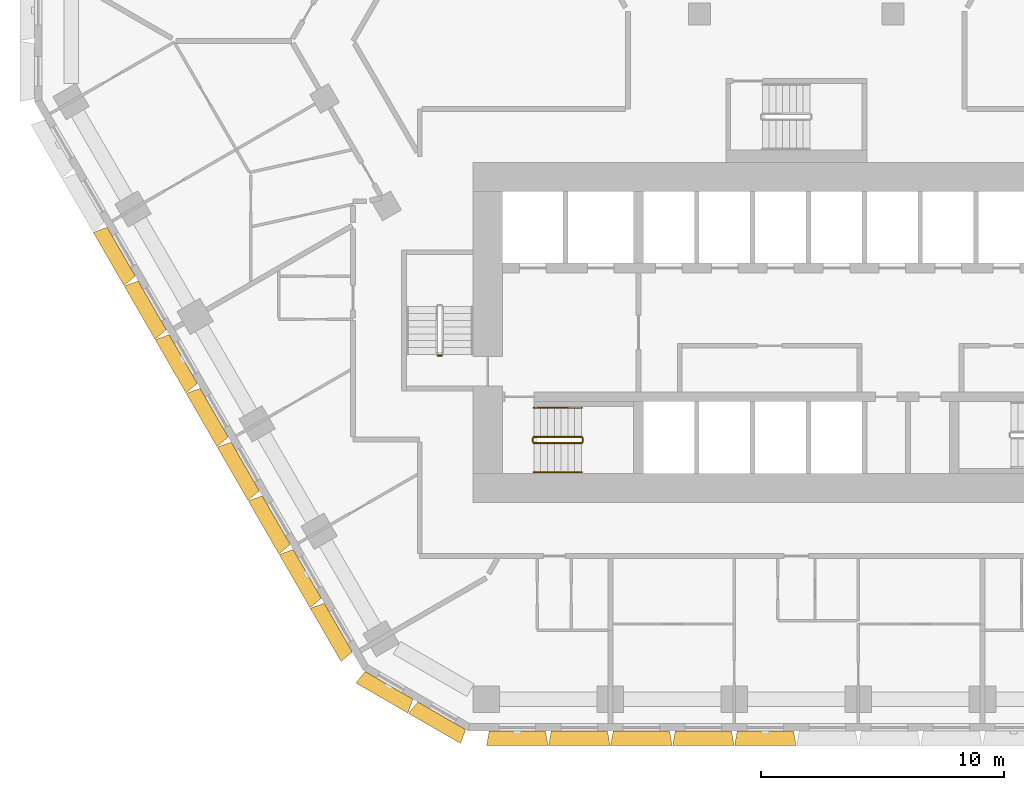
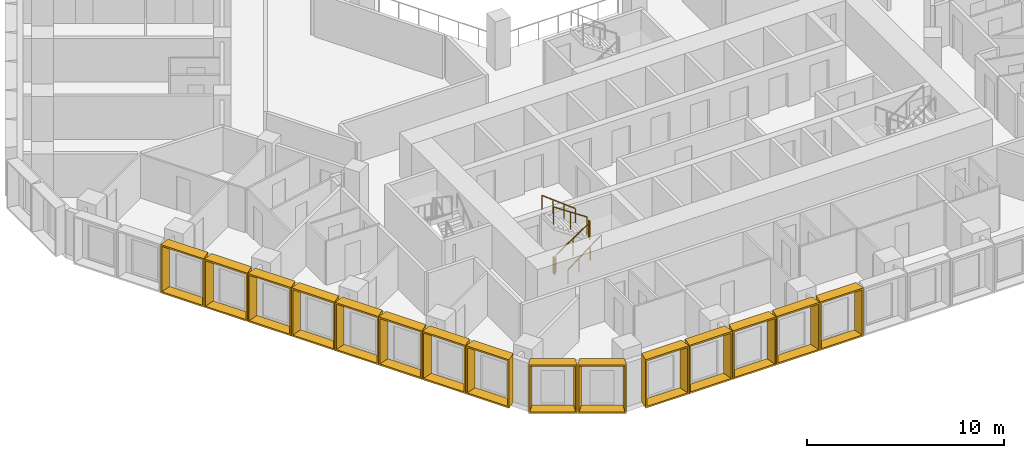
# One storey, part 18 of 21: 15 shading devices, 7 railings.
"""IFC4 building model written with IfcOpenShell, lengths in metres."""

from ifc_helpers import new_model, entity, si_unit, direction, frame, origin, origin_2d, place, context, subcontext, project, spatial, rectangle, extrude, source, transform, mapped, material, type_object, type_shapes, element, save


model = new_model("IFC4")

# Units and contexts
model_context = context("Model", 3, precision=1e-05, world=origin(), true_north=direction((0.0, 1.0)))
body_context = subcontext(model_context, "Body", "Model", "MODEL_VIEW")
ifc_project = project(units=[si_unit("LENGTHUNIT", "METRE"), si_unit("AREAUNIT", "SQUARE_METRE"), si_unit("VOLUMEUNIT", "CUBIC_METRE"), si_unit("PLANEANGLEUNIT", "RADIAN"), si_unit("MASSUNIT", "GRAM", prefix="KILO")], contexts=[model_context])

# Site, building, storey
site_placement = place(None, origin())
site = spatial("IfcSite", under=ifc_project, at=site_placement, CompositionType="ELEMENT")
building_placement = place(site_placement, origin())
building = spatial("IfcBuilding", under=site, at=building_placement, Name="Beryl Residences", CompositionType="ELEMENT")
storey_placement = place(building_placement, frame((0.0, 0.0, 53.39990234375)))
storey = spatial("IfcBuildingStorey", under=building, at=storey_placement, Name="L16", CompositionType="ELEMENT", Elevation=53.39990234375)

# Shading devices
ifc_material_1 = material(Name="Aluminium pale anodised", Category="aluminium")
shading_device_type_1 = type_object("IfcShadingDeviceType", Name="FR250-60A OUTER SKIN frame 600 mm deep, splay 10/10 deg, 2500 x 3000 mm cell", PredefinedType="USERDEFINED", material=ifc_material_1)
cartesian_point_1 = entity("IfcCartesianPoint", [-1.134033203125, 0.0])
cartesian_point_2 = entity("IfcCartesianPoint", [-1.052734375, 0.10009765625])
cartesian_point_3 = entity("IfcCartesianPoint", [-1.23974609375, 0.0])
cartesian_point_4 = entity("IfcCartesianPoint", [-1.158447265625, 0.10009765625])
shared_shape_1 = source(origin(), body_context, "Body", "SweptSolid", [
    entity("IfcExtrudedAreaSolidTapered", entity("IfcArbitraryProfileDefWithVoids", "AREA", None, entity("IfcPolyline", [cartesian_point_1, entity("IfcCartesianPoint", [1.134033203125, 0.0]), entity("IfcCartesianPoint", [1.134033203125, 3.0]), entity("IfcCartesianPoint", [-1.134033203125, 3.0]), cartesian_point_1]), [entity("IfcPolyline", [cartesian_point_2, entity("IfcCartesianPoint", [1.052734375, 0.10009765625]), entity("IfcCartesianPoint", [1.052734375, 2.89990234375]), entity("IfcCartesianPoint", [-1.052734375, 2.89990234375]), cartesian_point_2])]), entity("IfcAxis2Placement3D", entity("IfcCartesianPoint", [0.0, 0.0, 0.0]), entity("IfcDirection", [0.0, 1.0, 0.0]), entity("IfcDirection", [-1.0, 0.0, 0.0])), entity("IfcDirection", [0.0, 0.0, 1.0]), 0.60009765625, entity("IfcArbitraryProfileDefWithVoids", "AREA", None, entity("IfcPolyline", [cartesian_point_3, entity("IfcCartesianPoint", [1.23974609375, 0.0]), entity("IfcCartesianPoint", [1.23974609375, 3.0]), entity("IfcCartesianPoint", [-1.23974609375, 3.0]), cartesian_point_3]), [entity("IfcPolyline", [cartesian_point_4, entity("IfcCartesianPoint", [1.158447265625, 0.10009765625]), entity("IfcCartesianPoint", [1.158447265625, 2.89990234375]), entity("IfcCartesianPoint", [-1.158447265625, 2.89990234375]), cartesian_point_4])])),
])
type_shapes(shading_device_type_1, [shared_shape_1])
for number, where, z_axis, x_axis, name in (
    (1, (-16.758056640625, -26.52490234375, 0.0), (0.0, 0.0, 1.0), (-0.866025403784, 0.5, 0.0), "FR250-60A frame L16 SW-S 1"),
    (2, (-14.593017578125, -27.77490234375, 0.0), (0.0, 0.0, 1.0), (-0.866025403784, 0.5, 0.0), "FR250-60A frame L16 SW-S 2"),
):
    element("IfcShadingDevice", number, at=place(storey_placement, frame(where, z_axis=z_axis, x_axis=x_axis)), inside=storey, type_object=shading_device_type_1, Name=name, ObjectType="OUTER SKIN", PredefinedType="USERDEFINED", context=body_context, shape_type="MappedRepresentation", body=[
        mapped(shared_shape_1, transform((0.0, 0.0, 0.0))),
    ])
ifc_material_2 = material(Name="Aluminium pale anodised", Category="aluminium")
shading_device_type_2 = type_object("IfcShadingDeviceType", Name="FR255-60A OUTER SKIN frame 600 mm deep, splay 10/10 deg, 2550 x 3000 mm cell", PredefinedType="USERDEFINED", material=ifc_material_2)
cartesian_point_5 = entity("IfcCartesianPoint", [-1.158935546875, 0.0])
cartesian_point_6 = entity("IfcCartesianPoint", [-1.077880859375, 0.10009765625])
cartesian_point_7 = entity("IfcCartesianPoint", [-1.264892578125, 0.0])
cartesian_point_8 = entity("IfcCartesianPoint", [-1.18359375, 0.10009765625])
shared_shape_2 = source(origin(), body_context, "Body", "SweptSolid", [
    entity("IfcExtrudedAreaSolidTapered", entity("IfcArbitraryProfileDefWithVoids", "AREA", None, entity("IfcPolyline", [cartesian_point_5, entity("IfcCartesianPoint", [1.158935546875, 0.0]), entity("IfcCartesianPoint", [1.158935546875, 3.0]), entity("IfcCartesianPoint", [-1.158935546875, 3.0]), cartesian_point_5]), [entity("IfcPolyline", [cartesian_point_6, entity("IfcCartesianPoint", [1.077880859375, 0.10009765625]), entity("IfcCartesianPoint", [1.077880859375, 2.89990234375]), entity("IfcCartesianPoint", [-1.077880859375, 2.89990234375]), cartesian_point_6])]), entity("IfcAxis2Placement3D", entity("IfcCartesianPoint", [0.0, 0.0, 0.0]), entity("IfcDirection", [0.0, 1.0, 0.0]), entity("IfcDirection", [-1.0, 0.0, 0.0])), entity("IfcDirection", [0.0, 0.0, 1.0]), 0.60009765625, entity("IfcArbitraryProfileDefWithVoids", "AREA", None, entity("IfcPolyline", [cartesian_point_7, entity("IfcCartesianPoint", [1.264892578125, 0.0]), entity("IfcCartesianPoint", [1.264892578125, 3.0]), entity("IfcCartesianPoint", [-1.264892578125, 3.0]), cartesian_point_7]), [entity("IfcPolyline", [cartesian_point_8, entity("IfcCartesianPoint", [1.18359375, 0.10009765625]), entity("IfcCartesianPoint", [1.18359375, 2.89990234375]), entity("IfcCartesianPoint", [-1.18359375, 2.89990234375]), cartesian_point_8])])),
])
type_shapes(shading_device_type_2, [shared_shape_2])
for number, where, z_axis, x_axis, name in (
    (3, (-27.783935546875, -8.676025390625, 0.0), (0.0, 0.0, 1.0), (-0.5, 0.866025403784, 0.0), "FR255-60A frame L16 SW 3"),
    (4, (-26.508056640625, -10.885986328125, 0.0), (0.0, 0.0, 1.0), (-0.5, 0.866025403784, 0.0), "FR255-60A frame L16 SW 4"),
    (5, (-25.23193359375, -13.095947265625, 0.0), (0.0, 0.0, 1.0), (-0.5, 0.866025403784, 0.0), "FR255-60A frame L16 SW 5"),
    (6, (-23.95703125, -15.305908203125, 0.0), (0.0, 0.0, 1.0), (-0.5, 0.866025403784, 0.0), "FR255-60A frame L16 SW 6"),
    (7, (-22.680908203125, -17.51611328125, 0.0), (0.0, 0.0, 1.0), (-0.5, 0.866025403784, 0.0), "FR255-60A frame L16 SW 7"),
    (8, (-21.405029296875, -19.72607421875, 0.0), (0.0, 0.0, 1.0), (-0.5, 0.866025403784, 0.0), "FR255-60A frame L16 SW 8"),
    (9, (-20.12890625, -21.93603515625, 0.0), (0.0, 0.0, 1.0), (-0.5, 0.866025403784, 0.0), "FR255-60A frame L16 SW 9"),
    (10, (-18.85302734375, -24.14599609375, 0.0), (0.0, 0.0, 1.0), (-0.5, 0.866025403784, 0.0), "FR255-60A frame L16 SW 10"),
    (11, (-11.48291015625, -28.39990234375, 0.0), (0.0, 0.0, 1.0), (-1.0, 0.0, 0.0), "FR255-60A frame L16 S 1"),
    (12, (-8.930908203125, -28.39990234375, 0.0), (0.0, 0.0, 1.0), (-1.0, 0.0, 0.0), "FR255-60A frame L16 S 2"),
    (13, (-6.37890625, -28.39990234375, 0.0), (0.0, 0.0, 1.0), (-1.0, 0.0, 0.0), "FR255-60A frame L16 S 3"),
    (14, (-3.826904296875, -28.39990234375, 0.0), (0.0, 0.0, 1.0), (-1.0, 0.0, 0.0), "FR255-60A frame L16 S 4"),
    (15, (-1.27490234375, -28.39990234375, 0.0), (0.0, 0.0, 1.0), (-1.0, 0.0, 0.0), "FR255-60A frame L16 S 5"),
):
    element("IfcShadingDevice", number, at=place(storey_placement, frame(where, z_axis=z_axis, x_axis=x_axis)), inside=storey, type_object=shading_device_type_2, Name=name, ObjectType="OUTER SKIN", PredefinedType="USERDEFINED", context=body_context, shape_type="MappedRepresentation", body=[
        mapped(shared_shape_2, transform((0.0, 0.0, 0.0))),
    ])

# Railings
ifc_material_3 = material(Name="Stainless steel balustrade with glass infill", Category="steel")
railing_type_1 = type_object("IfcRailingType", Name="SG1 stair guard 1100 mm", PredefinedType="GUARDRAIL", material=ifc_material_3)
railing_1_placement = place(storey_placement, frame((-10.800048828125, -16.550048828125, 0.1875)))
element("IfcRailing", 16, at=railing_1_placement, inside=storey, type_object=railing_type_1, Name="L16 ST-1 stair guard 1", PredefinedType="GUARDRAIL", context=body_context, shape_type="SweptSolid", body=[
    extrude(rectangle(XDim=0.048095703125, YDim=0.048095703125, at=origin_2d()), frame((0.0, 0.0, 1.076171875), z_axis=(0.830902050051, 0.0, 0.556418712142), x_axis=(0.0, 1.0, 0.0)), (0.0, 0.0, 1.0), 2.35888671875),
    extrude(rectangle(XDim=0.0419921875, YDim=0.0419921875, at=origin_2d()), origin(), (0.0, 0.0, 1.0), 1.052001953125),
    extrude(rectangle(XDim=0.0419921875, YDim=0.0419921875, at=origin_2d()), frame((0.97998046875, 0.0, 0.65625)), (0.0, 0.0, 1.0), 1.052001953125),
    extrude(rectangle(XDim=0.0419921875, YDim=0.0419921875, at=origin_2d()), frame((1.9599609375, 0.0, 1.3125)), (0.0, 0.0, 1.0), 1.052001953125),
])
railing_2_placement = place(storey_placement, frame((-8.7900390625, -16.5, 1.5)))
element("IfcRailing", 17, at=railing_2_placement, inside=storey, type_object=railing_type_1, Name="L16 ST-1 stair guard 2", PredefinedType="GUARDRAIL", context=body_context, shape_type="SweptSolid", body=[
    extrude(rectangle(XDim=0.048095703125, YDim=0.048095703125, at=origin_2d()), frame((0.0, 0.0, 1.076171875), z_axis=(0.0, 1.0, 0.0), x_axis=(-1.0, 0.0, 0.0)), (0.0, 0.0, 1.0), 0.14990234375),
    extrude(rectangle(XDim=0.0419921875, YDim=0.0419921875, at=origin_2d()), origin(), (0.0, 0.0, 1.0), 1.052001953125),
    extrude(rectangle(XDim=0.0419921875, YDim=0.0419921875, at=origin_2d()), frame((0.0, 0.14990234375, 0.0)), (0.0, 0.0, 1.0), 1.052001953125),
])
railing_3_placement = place(storey_placement, frame((-8.840087890625, -16.300048828125, 1.6875)))
element("IfcRailing", 18, at=railing_3_placement, inside=storey, type_object=railing_type_1, Name="L16 ST-1 stair guard 3", PredefinedType="GUARDRAIL", context=body_context, shape_type="SweptSolid", body=[
    extrude(rectangle(XDim=0.048095703125, YDim=0.048095703125, at=origin_2d()), frame((0.0, 0.0, 1.076171875), z_axis=(-0.830902050051, 0.0, 0.556418712142), x_axis=(0.0, -1.0, 0.0)), (0.0, 0.0, 1.0), 2.35888671875),
    extrude(rectangle(XDim=0.0419921875, YDim=0.0419921875, at=origin_2d()), origin(), (0.0, 0.0, 1.0), 1.052001953125),
    extrude(rectangle(XDim=0.0419921875, YDim=0.0419921875, at=origin_2d()), frame((-0.97998046875, 0.0, 0.65625)), (0.0, 0.0, 1.0), 1.052001953125),
    extrude(rectangle(XDim=0.0419921875, YDim=0.0419921875, at=origin_2d()), frame((-1.9599609375, 0.0, 1.3125)), (0.0, 0.0, 1.0), 1.052001953125),
])
railing_4_placement = place(storey_placement, frame((-10.85009765625, -16.5, 0.0)))
element("IfcRailing", 19, at=railing_4_placement, inside=storey, type_object=railing_type_1, Name="L16 ST-1 stair guard 4", PredefinedType="GUARDRAIL", context=body_context, shape_type="SweptSolid", body=[
    extrude(rectangle(XDim=0.048095703125, YDim=0.048095703125, at=origin_2d()), frame((0.0, 0.0, 1.076171875), z_axis=(0.0, 1.0, 0.0), x_axis=(-1.0, 0.0, 0.0)), (0.0, 0.0, 1.0), 0.14990234375),
    extrude(rectangle(XDim=0.0419921875, YDim=0.0419921875, at=origin_2d()), origin(), (0.0, 0.0, 1.0), 1.052001953125),
    extrude(rectangle(XDim=0.0419921875, YDim=0.0419921875, at=origin_2d()), frame((0.0, 0.14990234375, 0.0)), (0.0, 0.0, 1.0), 1.052001953125),
])
railing_5_placement = place(storey_placement, frame((-14.60009765625, -12.949951171875, 0.0)))
element("IfcRailing", 20, at=railing_5_placement, inside=storey, type_object=railing_type_1, Name="L16 ST-2 stair guard 4", PredefinedType="GUARDRAIL", context=body_context, shape_type="SweptSolid", body=[
    extrude(rectangle(XDim=0.048095703125, YDim=0.048095703125, at=origin_2d()), frame((0.0, 0.0, 1.076171875), z_axis=(-1.0, 0.0, 0.0), x_axis=(0.0, -1.0, 0.0)), (0.0, 0.0, 1.0), 0.14990234375),
    extrude(rectangle(XDim=0.0419921875, YDim=0.0419921875, at=origin_2d()), origin(), (0.0, 0.0, 1.0), 1.052001953125),
    extrude(rectangle(XDim=0.0419921875, YDim=0.0419921875, at=origin_2d()), frame((-0.14990234375, 0.0, 0.0)), (0.0, 0.0, 1.0), 1.052001953125),
])
ifc_material_4 = material(Name="Stainless steel handrail", Category="steel")
railing_type_2 = type_object("IfcRailingType", Name="SRL1 stair handrail 900 mm", PredefinedType="HANDRAIL", material=ifc_material_4)
railing_6_placement = place(storey_placement, frame((-10.800048828125, -17.75, 0.1875)))
element("IfcRailing", 21, at=railing_6_placement, inside=storey, type_object=railing_type_2, Name="L16 ST-1 stair handrail 1", PredefinedType="HANDRAIL", context=body_context, shape_type="SweptSolid", body=[
    extrude(rectangle(XDim=0.048095703125, YDim=0.048095703125, at=origin_2d()), frame((0.0, 0.0, 0.8759765625), z_axis=(0.794121922505, 0.0, 0.607758481798), x_axis=(0.0, 1.0, 0.0)), (0.0, 0.0, 1.0), 2.468017578125),
    extrude(rectangle(XDim=0.0419921875, YDim=0.0419921875, at=origin_2d()), origin(), (0.0, 0.0, 1.0), 0.851806640625),
    extrude(rectangle(XDim=0.0419921875, YDim=0.0419921875, at=origin_2d()), frame((0.6533203125, 0.0, 0.5)), (0.0, 0.0, 1.0), 0.851806640625),
    extrude(rectangle(XDim=0.0419921875, YDim=0.0419921875, at=origin_2d()), frame((1.306640625, 0.0, 1.0)), (0.0, 0.0, 1.0), 0.851806640625),
    extrude(rectangle(XDim=0.0419921875, YDim=0.0419921875, at=origin_2d()), frame((1.9599609375, 0.0, 1.5)), (0.0, 0.0, 1.0), 0.851806640625),
])
railing_7_placement = place(storey_placement, frame((-8.840087890625, -15.10009765625, 1.6875)))
element("IfcRailing", 22, at=railing_7_placement, inside=storey, type_object=railing_type_2, Name="L16 ST-1 stair handrail 2", PredefinedType="HANDRAIL", context=body_context, shape_type="SweptSolid", body=[
    extrude(rectangle(XDim=0.048095703125, YDim=0.048095703125, at=origin_2d()), frame((0.0, 0.0, 0.8759765625), z_axis=(-0.794121922505, 0.0, 0.607758481798), x_axis=(0.0, -1.0, 0.0)), (0.0, 0.0, 1.0), 2.468017578125),
    extrude(rectangle(XDim=0.0419921875, YDim=0.0419921875, at=origin_2d()), origin(), (0.0, 0.0, 1.0), 0.851806640625),
    extrude(rectangle(XDim=0.0419921875, YDim=0.0419921875, at=origin_2d()), frame((-0.6533203125, 0.0, 0.5)), (0.0, 0.0, 1.0), 0.851806640625),
    extrude(rectangle(XDim=0.0419921875, YDim=0.0419921875, at=origin_2d()), frame((-1.306640625, 0.0, 1.0)), (0.0, 0.0, 1.0), 0.851806640625),
    extrude(rectangle(XDim=0.0419921875, YDim=0.0419921875, at=origin_2d()), frame((-1.9599609375, 0.0, 1.5)), (0.0, 0.0, 1.0), 0.851806640625),
])

save(model, "model.ifc")
